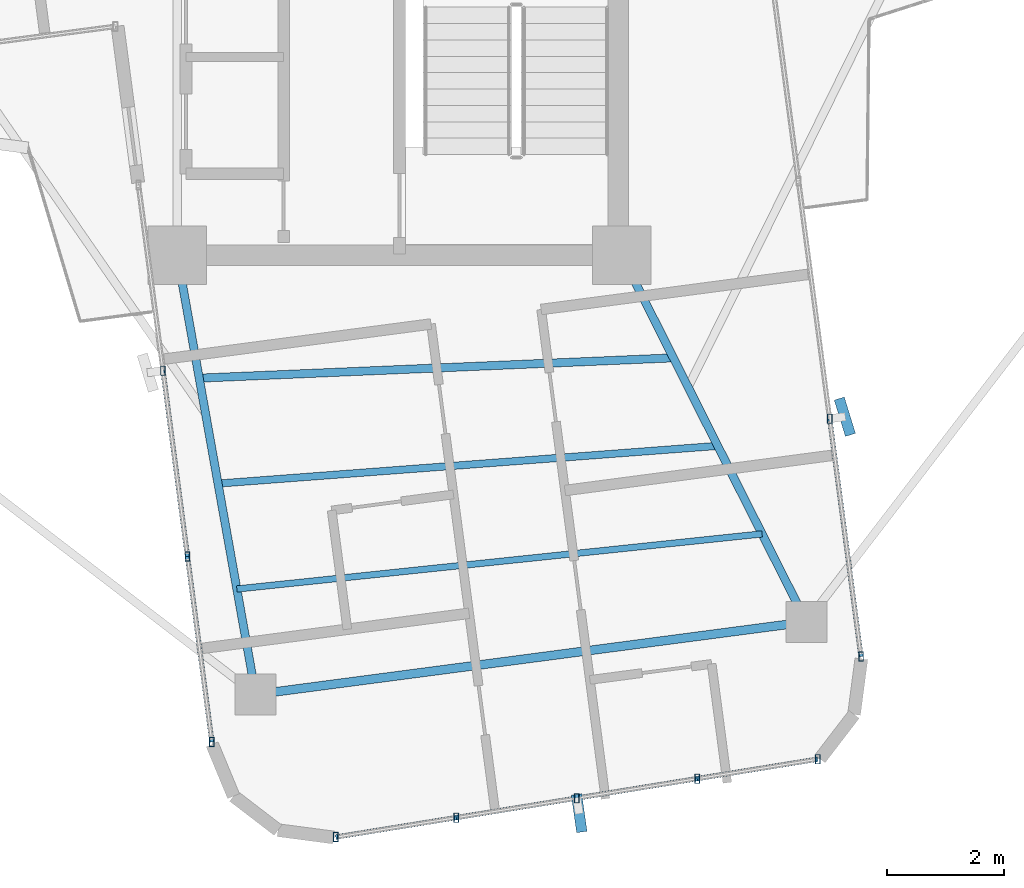
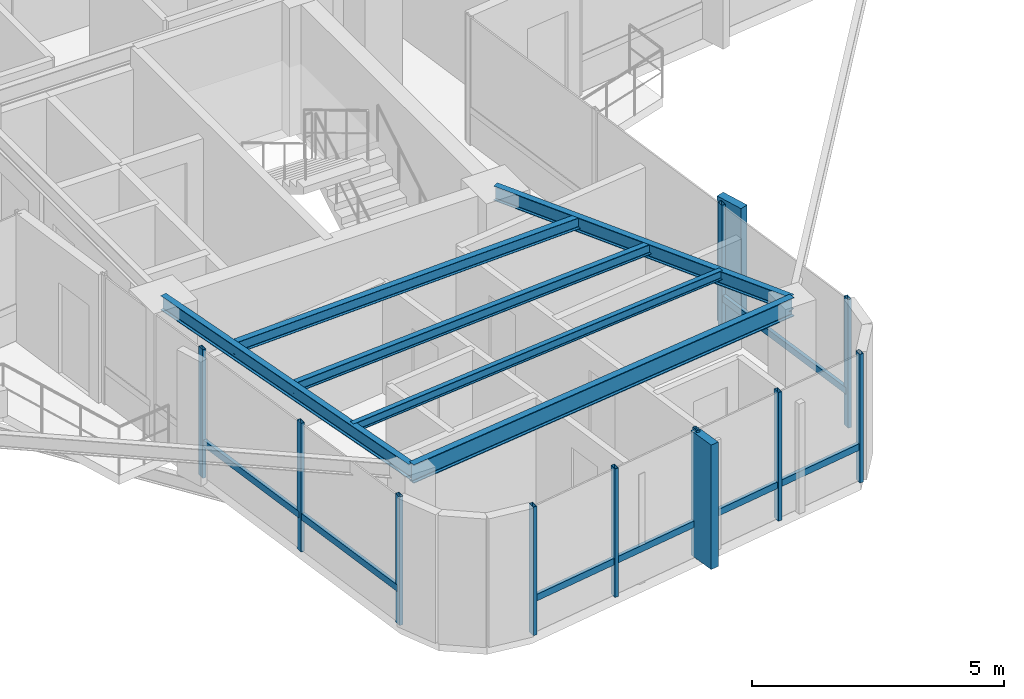
# One storey, part 4 of 22: 19 members, 6 beams, 3 elements without a shape of their own.
"""IFC4 building model written with IfcOpenShell, lengths in metres."""

from ifc_helpers import new_model, si_unit, direction, frame, origin, origin_2d, place, context, subcontext, project, spatial, rectangle, hollow_rectangle, i_section, extrude, source, transform, mapped, material, material_profile, profile_set, type_object, element, aggregate, save


model = new_model("IFC4")

# Units and contexts
model_context = context("Model", 3, precision=1e-05, world=origin(), true_north=direction((0.0, 1.0)))
body_context = subcontext(model_context, "Body", "Model", "MODEL_VIEW")
ifc_project = project(units=[si_unit("LENGTHUNIT", "METRE"), si_unit("AREAUNIT", "SQUARE_METRE"), si_unit("VOLUMEUNIT", "CUBIC_METRE"), si_unit("PLANEANGLEUNIT", "RADIAN"), si_unit("MASSUNIT", "GRAM", prefix="KILO")], contexts=[model_context])

# Site, building, storey
site_placement = place(None, origin())
site = spatial("IfcSite", under=ifc_project, at=site_placement, CompositionType="ELEMENT")
building_placement = place(site_placement, origin())
building = spatial("IfcBuilding", under=site, at=building_placement, Name="Sahyath Konkavel Grand Hotel", CompositionType="ELEMENT")
storey_placement = place(building_placement, frame((0.0, 0.0, 269.10009765625)))
storey = spatial("IfcBuildingStorey", under=building, at=storey_placement, Name="L75", CompositionType="ELEMENT", Elevation=269.10009765625)

# Beams
ifc_material_1 = material(Name="Steel E350", Category="steel")
ifc_material_profile_1 = material_profile(ifc_material_1, i_section(OverallWidth=0.139892578125, OverallDepth=0.35009765625, WebThickness=0.008056640625, FlangeThickness=0.01416015625, FilletRadius=0.013916015625, at=origin_2d()), Name="ISMB 350")
ifc_profile_set_1 = profile_set([ifc_material_profile_1], Name="Steel E350")
beam_type_1 = type_object("IfcBeamType", Name="BM-ISMB350", PredefinedType="BEAM", material=ifc_profile_set_1)
shared_shape_1 = source(origin(), body_context, "Body", "SweptSolid", [
    extrude(i_section(OverallWidth=0.139892578125, OverallDepth=0.35009765625, WebThickness=0.008056640625, FlangeThickness=0.01416015625, FilletRadius=0.013916015625, at=origin_2d()), origin(), (0.0, 0.0, 1.0), 7.631103515625),
])
beam_1_placement = place(storey_placement, frame((-3.800048828125, -10.199951171875, 2.934814453125), z_axis=(0.175734167088, -0.984437658015, 0.0), x_axis=(0.984437658015, 0.175734167088, 0.0)))
element("IfcBeam", 1, at=beam_1_placement, inside=storey, type_object=beam_type_1, Name="L75 Cruciform Radial Girder SA", PredefinedType="BEAM", context=body_context, shape_type="MappedRepresentation", body=[
    mapped(shared_shape_1, transform((0.0, 0.0, 0.0), scale=1.0)),
])
shared_shape_2 = source(origin(), body_context, "Body", "SweptSolid", [
    extrude(i_section(OverallWidth=0.139892578125, OverallDepth=0.35009765625, WebThickness=0.008056640625, FlangeThickness=0.01416015625, FilletRadius=0.013916015625, at=origin_2d()), origin(), (0.0, 0.0, 1.0), 7.0234375),
])
beam_2_placement = place(storey_placement, frame((3.800048828125, -10.199951171875, 2.934814453125), z_axis=(0.449881274382, -0.893088371305, 0.0), x_axis=(0.893088371305, 0.449881274382, 0.0)))
element("IfcBeam", 2, at=beam_2_placement, inside=storey, type_object=beam_type_1, Name="L75 Cruciform Radial Girder SB", PredefinedType="BEAM", context=body_context, shape_type="MappedRepresentation", body=[
    mapped(shared_shape_2, transform((0.0, 0.0, 0.0), scale=1.0)),
])
ifc_material_profile_2 = material_profile(ifc_material_1, i_section(OverallWidth=0.14990234375, OverallDepth=0.449951171875, WebThickness=0.009521484375, FlangeThickness=0.017333984375, FilletRadius=0.014892578125, at=origin_2d()), Name="ISMB 450")
ifc_profile_set_2 = profile_set([ifc_material_profile_2], Name="Steel E350")
beam_type_2 = type_object("IfcBeamType", Name="BM-ISMB450", PredefinedType="BEAM", material=ifc_profile_set_2)
shared_shape_3 = source(origin(), body_context, "Body", "SweptSolid", [
    extrude(i_section(OverallWidth=0.14990234375, OverallDepth=0.449951171875, WebThickness=0.009521484375, FlangeThickness=0.017333984375, FilletRadius=0.014892578125, at=origin_2d()), origin(), (0.0, 0.0, 1.0), 9.5),
])
beam_3_placement = place(storey_placement, frame((-2.458984375, -17.71240234375, 2.885009765625), z_axis=(0.991444933556, 0.130525643939, 0.0), x_axis=(-0.130525643939, 0.991444933556, 0.0)))
element("IfcBeam", 3, at=beam_3_placement, inside=storey, type_object=beam_type_2, Name="L75 Wing Tip Edge Beam S", PredefinedType="BEAM", context=body_context, shape_type="MappedRepresentation", body=[
    mapped(shared_shape_3, transform((0.0, 0.0, 0.0), scale=1.0)),
])
ifc_material_profile_3 = material_profile(ifc_material_1, i_section(OverallWidth=0.139892578125, OverallDepth=0.27490234375, WebThickness=0.00634765625, FlangeThickness=0.0087890625, FilletRadius=0.012939453125, at=origin_2d()), Name="ISLB 275")
ifc_profile_set_3 = profile_set([ifc_material_profile_3], Name="Steel E350")
beam_type_3 = type_object("IfcBeamType", Name="BM-ISLB275", PredefinedType="BEAM", material=ifc_profile_set_3)
shared_shape_4 = source(origin(), body_context, "Body", "SweptSolid", [
    extrude(i_section(OverallWidth=0.139892578125, OverallDepth=0.27490234375, WebThickness=0.00634765625, FlangeThickness=0.0087890625, FilletRadius=0.012939453125, at=origin_2d()), origin(), (0.0, 0.0, 1.0), 8.11669921875),
])
beam_4_placement = place(storey_placement, frame((-3.424560546875, -12.303466796875, 2.972412109375), z_axis=(0.999084879956, 0.042771516718, 0.0), x_axis=(-0.042771516718, 0.999084879956, 0.0)))
element("IfcBeam", 4, at=beam_4_placement, inside=storey, type_object=beam_type_3, Name="L75 Secondary Floor Beam S-1", PredefinedType="BEAM", context=body_context, shape_type="MappedRepresentation", body=[
    mapped(shared_shape_4, transform((0.0, 0.0, 0.0), scale=1.0)),
])
ifc_material_profile_4 = material_profile(ifc_material_1, i_section(OverallWidth=0.125, OverallDepth=0.25, WebThickness=0.0068359375, FlangeThickness=0.012451171875, FilletRadius=0.012939453125, at=origin_2d()), Name="ISMB 250")
ifc_profile_set_4 = profile_set([ifc_material_profile_4], Name="Steel E350")
beam_type_4 = type_object("IfcBeamType", Name="BM-ISMB250", PredefinedType="BEAM", material=ifc_profile_set_4)
shared_shape_5 = source(origin(), body_context, "Body", "SweptSolid", [
    extrude(i_section(OverallWidth=0.125, OverallDepth=0.25, WebThickness=0.0068359375, FlangeThickness=0.012451171875, FilletRadius=0.012939453125, at=origin_2d()), origin(), (0.0, 0.0, 1.0), 8.570068359375),
])
beam_5_placement = place(storey_placement, frame((-3.102783203125, -14.1064453125, 2.98486328125), z_axis=(0.997165854664, 0.075234688098, 0.0), x_axis=(-0.075234688098, 0.997165854664, 0.0)))
element("IfcBeam", 5, at=beam_5_placement, inside=storey, type_object=beam_type_4, Name="L75 Secondary Floor Beam S-2", PredefinedType="BEAM", context=body_context, shape_type="MappedRepresentation", body=[
    mapped(shared_shape_5, transform((0.0, 0.0, 0.0), scale=1.0)),
])
ifc_material_profile_5 = material_profile(ifc_material_1, i_section(OverallWidth=0.110107421875, OverallDepth=0.22509765625, WebThickness=0.006591796875, FlangeThickness=0.01171875, FilletRadius=0.011962890625, at=origin_2d()), Name="ISMB 225")
ifc_profile_set_5 = profile_set([ifc_material_profile_5], Name="Steel E350")
beam_type_5 = type_object("IfcBeamType", Name="BM-ISMB225", PredefinedType="BEAM", material=ifc_profile_set_5)
shared_shape_6 = source(origin(), body_context, "Body", "SweptSolid", [
    extrude(i_section(OverallWidth=0.110107421875, OverallDepth=0.22509765625, WebThickness=0.006591796875, FlangeThickness=0.01171875, FilletRadius=0.011962890625, at=origin_2d()), origin(), (0.0, 0.0, 1.0), 9.03173828125),
])
beam_6_placement = place(storey_placement, frame((-2.781005859375, -15.909423828125, 2.997314453125), z_axis=(0.99454153435, 0.104341441688, 0.0), x_axis=(-0.104341441688, 0.99454153435, 0.0)))
element("IfcBeam", 6, at=beam_6_placement, inside=storey, type_object=beam_type_5, Name="L75 Secondary Floor Beam S-3", PredefinedType="BEAM", context=body_context, shape_type="MappedRepresentation", body=[
    mapped(shared_shape_6, transform((0.0, 0.0, 0.0), scale=1.0)),
])

# Curtain wall, members
ifc_material_2 = material(Name="Anodised Bronze Aluminium & Low-E Glazing", Category="aluminium")
curtain_wall_type = type_object("IfcCurtainWallType", Name="CW-ZONE4", PredefinedType="NOTDEFINED", material=ifc_material_2)
curtain_wall_1_placement = place(storey_placement, origin())
curtain_wall_1 = element("IfcCurtainWall", 7, at=curtain_wall_1_placement, inside=storey, type_object=curtain_wall_type, Name="L75 Unitised Curtain Wall F24", PredefinedType="NOTDEFINED")
ifc_material_3 = material(Name="Anodised Bronze Aluminium", Category="aluminium")
ifc_material_profile_6 = material_profile(ifc_material_3, hollow_rectangle(XDim=0.080078125, YDim=0.159912109375, WallThickness=0.006103515625, at=origin_2d()), Name="RHS 160x80x6")
ifc_profile_set_6 = profile_set([ifc_material_profile_6], Name="Anodised Bronze Aluminium")
member_type_1 = type_object("IfcMemberType", Name="CW-MUL-160", PredefinedType="MULLION", material=ifc_profile_set_6)
shared_shape_7 = source(origin(), body_context, "Body", "SweptSolid", [
    extrude(hollow_rectangle(XDim=0.080078125, YDim=0.159912109375, WallThickness=0.006103515625, at=origin_2d()), origin(), (0.0, 0.0, 1.0), 3.10986328125),
])
member_1_placement = place(storey_placement, frame((-4.04541015625, -12.175537109375, 0.0), z_axis=(0.0, 0.0, 1.0), x_axis=(1.0, 0.0, 0.0)))
member_1 = element("IfcMember", 8, at=member_1_placement, type_object=member_type_1, Name="L75 Curtain Wall Mullion F24-1", PredefinedType="MULLION", context=body_context, shape_type="MappedRepresentation", body=[
    mapped(shared_shape_7, transform((0.0, 0.0, 0.0), scale=1.0)),
])
member_2_placement = place(storey_placement, frame((-3.627197265625, -15.351318359375, 0.0), z_axis=(0.0, 0.0, 1.0), x_axis=(1.0, 0.0, 0.0)))
member_2 = element("IfcMember", 9, at=member_2_placement, type_object=member_type_1, Name="L75 Curtain Wall Mullion F24-2", PredefinedType="MULLION", context=body_context, shape_type="MappedRepresentation", body=[
    mapped(shared_shape_7, transform((0.0, 0.0, 0.0), scale=1.0)),
])
member_3_placement = place(storey_placement, frame((-3.208984375, -18.52734375, 0.0), z_axis=(0.0, 0.0, 1.0), x_axis=(1.0, 0.0, 0.0)))
member_3 = element("IfcMember", 10, at=member_3_placement, type_object=member_type_1, Name="L75 Curtain Wall Mullion F24-3", PredefinedType="MULLION", context=body_context, shape_type="MappedRepresentation", body=[
    mapped(shared_shape_7, transform((0.0, 0.0, 0.0), scale=1.0)),
])

curtain_wall_2_placement = place(storey_placement, origin())
curtain_wall_2 = element("IfcCurtainWall", 11, at=curtain_wall_2_placement, inside=storey, type_object=curtain_wall_type, Name="L75 Unitised Curtain Wall F28", PredefinedType="NOTDEFINED")
member_4_placement = place(storey_placement, frame((-1.0888671875, -20.1533203125, 0.0), z_axis=(0.0, 0.0, 1.0), x_axis=(1.0, 0.0, 0.0)))
member_4 = element("IfcMember", 12, at=member_4_placement, type_object=member_type_1, Name="L75 Curtain Wall Mullion F28-0", PredefinedType="MULLION", context=body_context, shape_type="MappedRepresentation", body=[
    mapped(shared_shape_7, transform((0.0, 0.0, 0.0), scale=1.0)),
])
member_5_placement = place(storey_placement, frame((0.9716796875, -19.8203125, 0.0), z_axis=(0.0, 0.0, 1.0), x_axis=(1.0, 0.0, 0.0)))
member_5 = element("IfcMember", 13, at=member_5_placement, type_object=member_type_1, Name="L75 Curtain Wall Mullion F28-1", PredefinedType="MULLION", context=body_context, shape_type="MappedRepresentation", body=[
    mapped(shared_shape_7, transform((0.0, 0.0, 0.0), scale=1.0)),
])
member_6_placement = place(storey_placement, frame((3.031982421875, -19.487060546875, 0.0), z_axis=(0.0, 0.0, 1.0), x_axis=(1.0, 0.0, 0.0)))
member_6 = element("IfcMember", 14, at=member_6_placement, type_object=member_type_1, Name="L75 Curtain Wall Mullion F28-2", PredefinedType="MULLION", context=body_context, shape_type="MappedRepresentation", body=[
    mapped(shared_shape_7, transform((0.0, 0.0, 0.0), scale=1.0)),
])
member_7_placement = place(storey_placement, frame((5.09228515625, -19.15380859375, 0.0), z_axis=(0.0, 0.0, 1.0), x_axis=(1.0, 0.0, 0.0)))
member_7 = element("IfcMember", 15, at=member_7_placement, type_object=member_type_1, Name="L75 Curtain Wall Mullion F28-3", PredefinedType="MULLION", context=body_context, shape_type="MappedRepresentation", body=[
    mapped(shared_shape_7, transform((0.0, 0.0, 0.0), scale=1.0)),
])
member_8_placement = place(storey_placement, frame((7.15283203125, -18.82080078125, 0.0), z_axis=(0.0, 0.0, 1.0), x_axis=(1.0, 0.0, 0.0)))
member_8 = element("IfcMember", 16, at=member_8_placement, type_object=member_type_1, Name="L75 Curtain Wall Mullion F28-4", PredefinedType="MULLION", context=body_context, shape_type="MappedRepresentation", body=[
    mapped(shared_shape_7, transform((0.0, 0.0, 0.0), scale=1.0)),
])

curtain_wall_3_placement = place(storey_placement, origin())
curtain_wall_3 = element("IfcCurtainWall", 17, at=curtain_wall_3_placement, inside=storey, type_object=curtain_wall_type, Name="L75 Unitised Curtain Wall F31", PredefinedType="NOTDEFINED")
member_9_placement = place(storey_placement, frame((7.89501953125, -17.0654296875, 0.0), z_axis=(0.0, 0.0, 1.0), x_axis=(1.0, 0.0, 0.0)))
member_9 = element("IfcMember", 18, at=member_9_placement, type_object=member_type_1, Name="L75 Curtain Wall Mullion F31-0", PredefinedType="MULLION", context=body_context, shape_type="MappedRepresentation", body=[
    mapped(shared_shape_7, transform((0.0, 0.0, 0.0), scale=1.0)),
])
member_10_placement = place(storey_placement, frame((7.359619140625, -12.997314453125, 0.0), z_axis=(0.0, 0.0, 1.0), x_axis=(1.0, 0.0, 0.0)))
member_10 = element("IfcMember", 19, at=member_10_placement, type_object=member_type_1, Name="L75 Curtain Wall Mullion F31-1", PredefinedType="MULLION", context=body_context, shape_type="MappedRepresentation", body=[
    mapped(shared_shape_7, transform((0.0, 0.0, 0.0), scale=1.0)),
])

# Member
ifc_material_4 = material(Name="Warm Buff Sandstone Cladding on Concrete C50/60", Category="masonry")
ifc_material_profile_7 = material_profile(ifc_material_4, rectangle(XDim=0.179931640625, YDim=0.64990234375, at=origin_2d()), Name="FIN 180x650")
ifc_profile_set_7 = profile_set([ifc_material_profile_7], Name="Warm Buff Sandstone Cladding on Concrete C50/60")
member_type_2 = type_object("IfcMemberType", Name="FIN-SANDSTONE-650", PredefinedType="MULLION", material=ifc_profile_set_7)
shared_shape_8 = source(origin(), body_context, "Body", "SweptSolid", [
    extrude(rectangle(XDim=0.179931640625, YDim=0.64990234375, at=origin_2d()), origin(), (0.0, 0.0, 1.0), 3.010009765625),
])
member_11_placement = place(storey_placement, frame((3.073486328125, -19.74365234375, 0.0498046875), z_axis=(0.0, 0.0, 1.0), x_axis=(0.989850775563, 0.142110668555, 0.0)))
member_11 = element("IfcMember", 20, at=member_11_placement, type_object=member_type_2, Name="L75 Sandstone Vertical Solar Fin FIN F28-2", PredefinedType="MULLION", context=body_context, shape_type="MappedRepresentation", body=[
    mapped(shared_shape_8, transform((0.0, 0.0, 0.0), scale=1.0)),
])

member_12_placement = place(storey_placement, frame((7.6171875, -12.96337890625, 0.0498046875), z_axis=(0.0, 0.0, 1.0), x_axis=(0.955690317134, 0.294373942013, 0.0)))
member_12 = element("IfcMember", 21, at=member_12_placement, type_object=member_type_2, Name="L75 Sandstone Vertical Solar Fin FIN F31-1", PredefinedType="MULLION", context=body_context, shape_type="MappedRepresentation", body=[
    mapped(shared_shape_8, transform((0.0, 0.0, 0.0), scale=1.0)),
])

ifc_material_profile_8 = material_profile(ifc_material_3, hollow_rectangle(XDim=0.080078125, YDim=0.159912109375, WallThickness=0.006103515625, at=origin_2d()), Name="RHS 160x80x6")
ifc_profile_set_8 = profile_set([ifc_material_profile_8], Name="Anodised Bronze Aluminium")
member_type_3 = type_object("IfcMemberType", Name="CW-TRN-160", PredefinedType="USERDEFINED", material=ifc_profile_set_8)
shared_shape_9 = source(origin(), body_context, "Body", "SweptSolid", [
    extrude(hollow_rectangle(XDim=0.080078125, YDim=0.159912109375, WallThickness=0.006103515625, at=origin_2d()), origin(), (0.0, 0.0, 1.0), 3.203369140625),
])
member_13_placement = place(storey_placement, frame((-3.627197265625, -15.351318359375, 0.849853515625), z_axis=(0.130551112835, -0.991441580194, 0.0), x_axis=(0.991441580194, 0.130551112835, 0.0)))
member_13 = element("IfcMember", 22, at=member_13_placement, type_object=member_type_3, Name="L75 Curtain Wall Transom F24-2-spandrel", ObjectType="TRANSOM", PredefinedType="USERDEFINED", context=body_context, shape_type="MappedRepresentation", body=[
    mapped(shared_shape_9, transform((0.0, 0.0, 0.0), scale=1.0)),
])

shared_shape_10 = source(origin(), body_context, "Body", "SweptSolid", [
    extrude(hollow_rectangle(XDim=0.080078125, YDim=0.159912109375, WallThickness=0.006103515625, at=origin_2d()), origin(), (0.0, 0.0, 1.0), 3.203125),
])
member_14_placement = place(storey_placement, frame((-4.04541015625, -12.175537109375, 0.849853515625), z_axis=(0.13056097798, -0.991440281121, 0.0), x_axis=(0.991440281121, 0.13056097798, 0.0)))
member_14 = element("IfcMember", 23, at=member_14_placement, type_object=member_type_3, Name="L75 Curtain Wall Transom F24-1-spandrel", ObjectType="TRANSOM", PredefinedType="USERDEFINED", context=body_context, shape_type="MappedRepresentation", body=[
    mapped(shared_shape_10, transform((0.0, 0.0, 0.0), scale=1.0)),
])

aggregate(curtain_wall_1, [member_1, member_2, member_3, member_14, member_13])

shared_shape_11 = source(origin(), body_context, "Body", "SweptSolid", [
    extrude(hollow_rectangle(XDim=0.080078125, YDim=0.159912109375, WallThickness=0.006103515625, at=origin_2d()), origin(), (0.0, 0.0, 1.0), 2.08740234375),
])
member_15_placement = place(storey_placement, frame((-1.0888671875, -20.1533203125, 0.849853515625), z_axis=(0.98719124923, 0.159541334591, 0.0), x_axis=(-0.159541334591, 0.98719124923, 0.0)))
member_15 = element("IfcMember", 24, at=member_15_placement, type_object=member_type_3, Name="L75 Curtain Wall Transom F28-0-spandrel", ObjectType="TRANSOM", PredefinedType="USERDEFINED", context=body_context, shape_type="MappedRepresentation", body=[
    mapped(shared_shape_11, transform((0.0, 0.0, 0.0), scale=1.0)),
])

member_16_placement = place(storey_placement, frame((5.09228515625, -19.15380859375, 0.849853515625), z_axis=(0.98719124923, 0.159541334591, 0.0), x_axis=(-0.159541334591, 0.98719124923, 0.0)))
member_16 = element("IfcMember", 25, at=member_16_placement, type_object=member_type_3, Name="L75 Curtain Wall Transom F28-3-spandrel", ObjectType="TRANSOM", PredefinedType="USERDEFINED", context=body_context, shape_type="MappedRepresentation", body=[
    mapped(shared_shape_11, transform((0.0, 0.0, 0.0), scale=1.0)),
])

shared_shape_12 = source(origin(), body_context, "Body", "SweptSolid", [
    extrude(hollow_rectangle(XDim=0.080078125, YDim=0.159912109375, WallThickness=0.006103515625, at=origin_2d()), origin(), (0.0, 0.0, 1.0), 2.087158203125),
])
member_17_placement = place(storey_placement, frame((0.9716796875, -19.8203125, 0.849853515625), z_axis=(0.98716983924, 0.159673756436, 0.0), x_axis=(-0.159673756436, 0.98716983924, 0.0)))
member_17 = element("IfcMember", 26, at=member_17_placement, type_object=member_type_3, Name="L75 Curtain Wall Transom F28-1-spandrel", ObjectType="TRANSOM", PredefinedType="USERDEFINED", context=body_context, shape_type="MappedRepresentation", body=[
    mapped(shared_shape_12, transform((0.0, 0.0, 0.0), scale=1.0)),
])

member_18_placement = place(storey_placement, frame((3.031982421875, -19.487060546875, 0.849853515625), z_axis=(0.98716983924, 0.159673756436, 0.0), x_axis=(-0.159673756436, 0.98716983924, 0.0)))
member_18 = element("IfcMember", 27, at=member_18_placement, type_object=member_type_3, Name="L75 Curtain Wall Transom F28-2-spandrel", ObjectType="TRANSOM", PredefinedType="USERDEFINED", context=body_context, shape_type="MappedRepresentation", body=[
    mapped(shared_shape_12, transform((0.0, 0.0, 0.0), scale=1.0)),
])

aggregate(curtain_wall_2, [member_4, member_5, member_6, member_11, member_7, member_8, member_15, member_17, member_18, member_16])

shared_shape_13 = source(origin(), body_context, "Body", "SweptSolid", [
    extrude(hollow_rectangle(XDim=0.080078125, YDim=0.159912109375, WallThickness=0.006103515625, at=origin_2d()), origin(), (0.0, 0.0, 1.0), 4.103271484375),
])
member_19_placement = place(storey_placement, frame((7.89501953125, -17.0654296875, 0.849853515625), z_axis=(-0.130483756275, 0.991450447248, 0.0), x_axis=(-0.991450447248, -0.130483756275, 0.0)))
member_19 = element("IfcMember", 28, at=member_19_placement, type_object=member_type_3, Name="L75 Curtain Wall Transom F31-0-spandrel", ObjectType="TRANSOM", PredefinedType="USERDEFINED", context=body_context, shape_type="MappedRepresentation", body=[
    mapped(shared_shape_13, transform((0.0, 0.0, 0.0), scale=1.0)),
])

aggregate(curtain_wall_3, [member_9, member_10, member_12, member_19])

save(model, "model.ifc")
